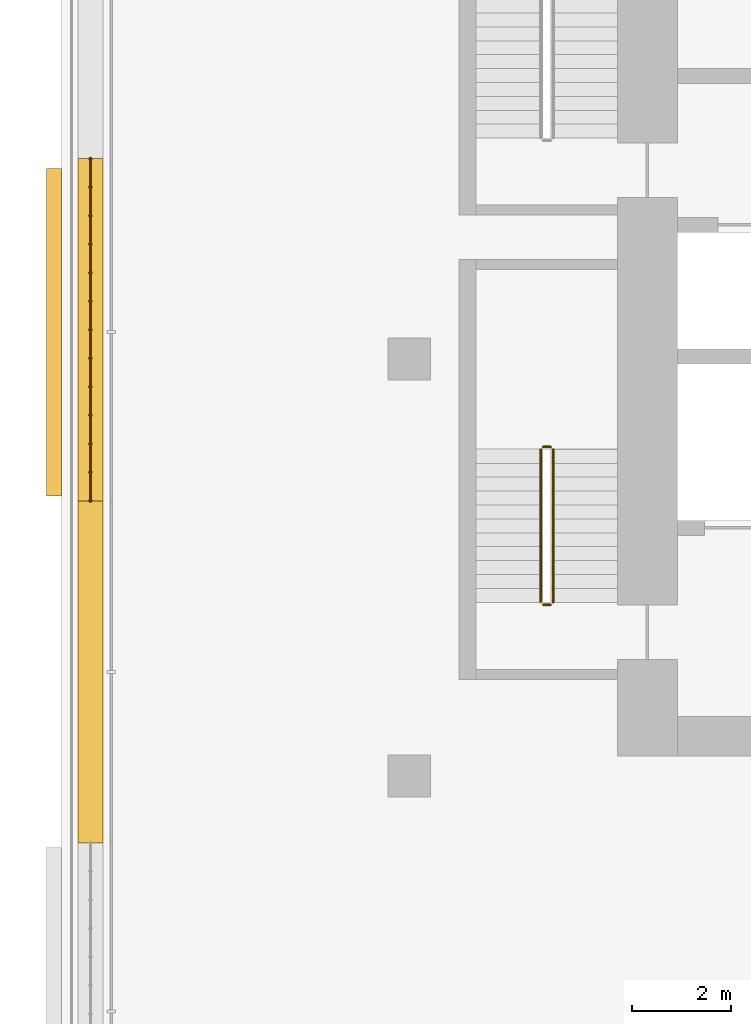
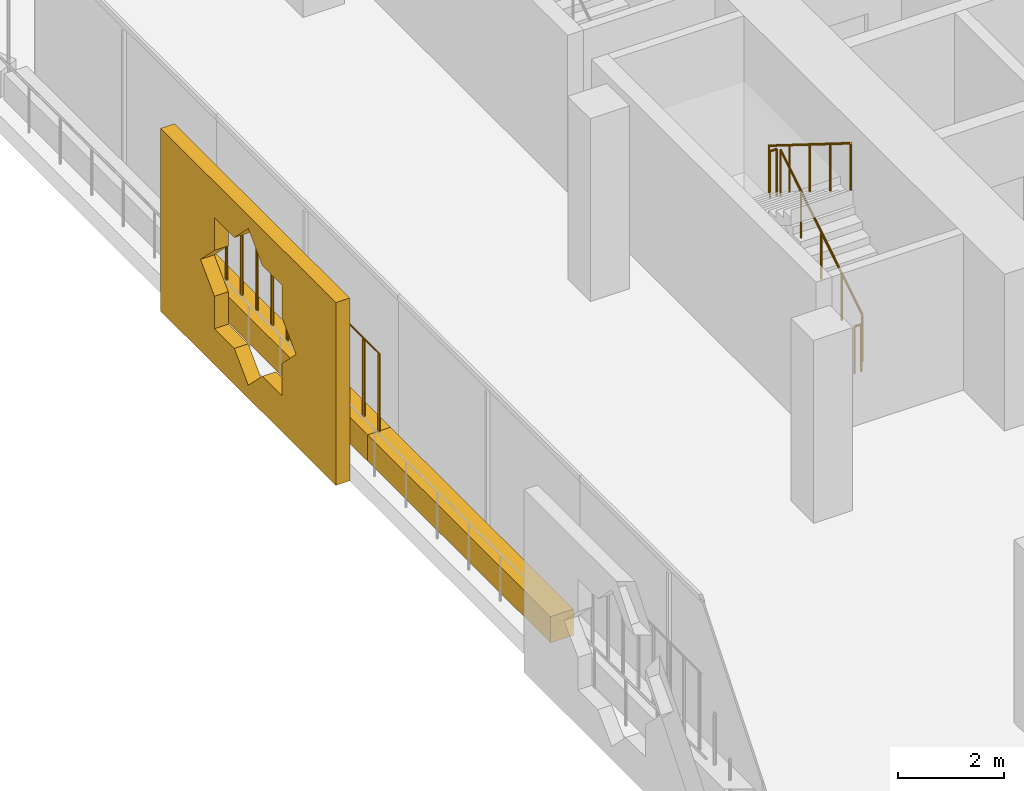
# One storey, part 17 of 23: 5 railings, 3 coverings.
"""IFC4 building model written with IfcOpenShell, lengths in metres."""

from ifc_helpers import new_model, si_unit, direction, frame, origin, origin_2d, place, context, subcontext, project, spatial, polyline, rectangle, circle, outline, extrude, material, material_profile, profile_set, type_object, element, save


model = new_model("IFC4")

# Units and contexts
model_context = context("Model", 3, precision=1e-05, world=origin(), true_north=direction((0.0, 1.0)))
body_context = subcontext(model_context, "Body", "Model", "MODEL_VIEW")
ifc_project = project(units=[si_unit("LENGTHUNIT", "METRE"), si_unit("AREAUNIT", "SQUARE_METRE"), si_unit("VOLUMEUNIT", "CUBIC_METRE"), si_unit("PLANEANGLEUNIT", "RADIAN"), si_unit("MASSUNIT", "GRAM", prefix="KILO")], contexts=[model_context])

# Site, building, storey
site_placement = place(None, origin())
site = spatial("IfcSite", under=ifc_project, at=site_placement, CompositionType="ELEMENT")
building_placement = place(site_placement, origin())
building = spatial("IfcBuilding", under=site, at=building_placement, Name="Kawkab Arch Medical Tower", CompositionType="ELEMENT")
storey_placement = place(building_placement, frame((0.0, 0.0, 247.39990234375)))
storey = spatial("IfcBuildingStorey", under=building, at=storey_placement, Name="L57", CompositionType="ELEMENT", Elevation=247.39990234375)

# Coverings
ifc_material_1 = material(Name="Bronze anodised aluminium mashrabiya panel, eight-point star pattern", Category="aluminium")
ifc_material_profile_1 = material_profile(ifc_material_1, outline(polyline([(-3.300048828125, -2.10009765625), (3.300048828125, -2.10009765625), (3.300048828125, 2.10009765625), (-3.300048828125, 2.10009765625), (-3.300048828125, -2.10009765625)]), holes=[polyline([(1.800048828125, 0.0), (1.272705078125, 0.527099609375), (1.272705078125, 1.272705078125), (0.527099609375, 1.272705078125), (0.0, 1.800048828125), (-0.527099609375, 1.272705078125), (-1.272705078125, 1.272705078125), (-1.272705078125, 0.527099609375), (-1.800048828125, 0.0), (-1.272705078125, -0.527099609375), (-1.272705078125, -1.272705078125), (-0.527099609375, -1.272705078125), (0.0, -1.800048828125), (0.527099609375, -1.272705078125), (1.272705078125, -1.272705078125), (1.272705078125, -0.527099609375), (1.800048828125, 0.0)])]), Name="Mashrabiya panel 6600x4200")
ifc_profile_set_1 = profile_set([ifc_material_profile_1], Name="Bronze anodised aluminium mashrabiya panel, eight-point star pattern")
covering_type_1 = type_object("IfcCoveringType", Name="Mashrabiya panel 6600 x 4200", PredefinedType="USERDEFINED", material=ifc_profile_set_1)
covering_1_placement = place(storey_placement, frame((-7.0, -16.259033203125, 1.7001953125), z_axis=(-1.0, 0.0, 0.0), x_axis=(0.0, -1.0, 0.0)))
element("IfcCovering", 1, at=covering_1_placement, inside=storey, type_object=covering_type_1, Name="Mashrabiya panel L57.LOG-01-01.4", ObjectType="SCREEN", PredefinedType="USERDEFINED", context=body_context, shape_type="SweptSolid", body=[
    extrude(outline(polyline([(-3.300048828125, -2.10009765625), (3.300048828125, -2.10009765625), (3.300048828125, 2.10009765625), (-3.300048828125, 2.10009765625), (-3.300048828125, -2.10009765625)]), holes=[polyline([(1.800048828125, 0.0), (1.272705078125, 0.527099609375), (1.272705078125, 1.272705078125), (0.527099609375, 1.272705078125), (0.0, 1.800048828125), (-0.527099609375, 1.272705078125), (-1.272705078125, 1.272705078125), (-1.272705078125, 0.527099609375), (-1.800048828125, 0.0), (-1.272705078125, -0.527099609375), (-1.272705078125, -1.272705078125), (-0.527099609375, -1.272705078125), (0.0, -1.800048828125), (0.527099609375, -1.272705078125), (1.272705078125, -1.272705078125), (1.272705078125, -0.527099609375), (1.800048828125, 0.0)])]), origin(), (0.0, 0.0, 1.0), 0.300048828125),
])
ifc_material_2 = material(Name="Planting soil in a precast trough", Category="concrete")
ifc_material_profile_2 = material_profile(ifc_material_2, rectangle(XDim=0.5, YDim=0.60009765625, at=origin_2d()), Name="Trough 500x600")
ifc_profile_set_2 = profile_set([ifc_material_profile_2], Name="Planting soil in a precast trough")
covering_type_2 = type_object("IfcCoveringType", Name="Planter trough 500 x 600", PredefinedType="USERDEFINED", material=ifc_profile_set_2)
covering_2_placement = place(storey_placement, frame((-6.419921875, -26.544921875, 0.300048828125), z_axis=(0.0, 1.0, 0.0), x_axis=(-1.0, 0.0, 0.0)))
element("IfcCovering", 2, at=covering_2_placement, inside=storey, type_object=covering_type_2, Name="Planter L57.LOG-01-01.10", ObjectType="PLANTER", PredefinedType="USERDEFINED", context=body_context, shape_type="SweptSolid", body=[
    extrude(rectangle(XDim=0.5, YDim=0.60009765625, at=origin_2d()), origin(), (0.0, 0.0, 1.0), 6.889892578125),
])
covering_3_placement = place(storey_placement, frame((-6.419921875, -19.655029296875, 0.300048828125), z_axis=(0.0, 1.0, 0.0), x_axis=(-1.0, 0.0, 0.0)))
element("IfcCovering", 3, at=covering_3_placement, inside=storey, type_object=covering_type_2, Name="Planter L57.LOG-01-01.11", ObjectType="PLANTER", PredefinedType="USERDEFINED", context=body_context, shape_type="SweptSolid", body=[
    extrude(rectangle(XDim=0.5, YDim=0.60009765625, at=origin_2d()), origin(), (0.0, 0.0, 1.0), 6.89111328125),
])

# Railings
ifc_material_3 = material(Name="Bronze anodised aluminium trellis for climbing plants", Category="aluminium")
railing_type_1 = type_object("IfcRailingType", Name="Planting trellis 2400", PredefinedType="USERDEFINED", material=ifc_material_3)
railing_1_placement = place(storey_placement, frame((-6.419921875, -19.655029296875, 0.0)))
element("IfcRailing", 4, at=railing_1_placement, inside=storey, type_object=railing_type_1, Name="Planting trellis L57.LOG-01-01.11", ObjectType="TRELLIS", PredefinedType="USERDEFINED", context=body_context, shape_type="SweptSolid", body=[
    extrude(circle(Radius=0.01513671875, at=origin_2d()), frame((0.0, 0.0, 2.384765625), z_axis=(0.0, 1.0, 0.0), x_axis=(-1.0, 0.0, 0.0)), (0.0, 0.0, 1.0), 6.89111328125),
    extrude(circle(Radius=0.030029296875, at=origin_2d()), origin(), (0.0, 0.0, 1.0), 2.369873046875),
    extrude(circle(Radius=0.030029296875, at=origin_2d()), frame((0.0, 0.57421875, 0.0)), (0.0, 0.0, 1.0), 2.369873046875),
    extrude(circle(Radius=0.030029296875, at=origin_2d()), frame((0.0, 1.1484375, 0.0)), (0.0, 0.0, 1.0), 2.369873046875),
    extrude(circle(Radius=0.030029296875, at=origin_2d()), frame((0.0, 1.72265625, 0.0)), (0.0, 0.0, 1.0), 2.369873046875),
    extrude(circle(Radius=0.030029296875, at=origin_2d()), frame((0.0, 2.297119140625, 0.0)), (0.0, 0.0, 1.0), 2.369873046875),
    extrude(circle(Radius=0.030029296875, at=origin_2d()), frame((0.0, 2.871337890625, 0.0)), (0.0, 0.0, 1.0), 2.369873046875),
    extrude(circle(Radius=0.030029296875, at=origin_2d()), frame((0.0, 3.445556640625, 0.0)), (0.0, 0.0, 1.0), 2.369873046875),
    extrude(circle(Radius=0.030029296875, at=origin_2d()), frame((0.0, 4.019775390625, 0.0)), (0.0, 0.0, 1.0), 2.369873046875),
    extrude(circle(Radius=0.030029296875, at=origin_2d()), frame((0.0, 4.593994140625, 0.0)), (0.0, 0.0, 1.0), 2.369873046875),
    extrude(circle(Radius=0.030029296875, at=origin_2d()), frame((0.0, 5.16845703125, 0.0)), (0.0, 0.0, 1.0), 2.369873046875),
    extrude(circle(Radius=0.030029296875, at=origin_2d()), frame((0.0, 5.74267578125, 0.0)), (0.0, 0.0, 1.0), 2.369873046875),
    extrude(circle(Radius=0.030029296875, at=origin_2d()), frame((0.0, 6.31689453125, 0.0)), (0.0, 0.0, 1.0), 2.369873046875),
    extrude(circle(Radius=0.030029296875, at=origin_2d()), frame((0.0, 6.89111328125, 0.0)), (0.0, 0.0, 1.0), 2.369873046875),
])
ifc_material_4 = material(Name="Stainless steel", Category="steel")
railing_type_2 = type_object("IfcRailingType", Name="Stair guard 1100", PredefinedType="GUARDRAIL", material=ifc_material_4)
railing_2_placement = place(storey_placement, frame((2.89990234375, -21.699951171875, 0.175048828125)))
element("IfcRailing", 5, at=railing_2_placement, inside=storey, type_object=railing_type_2, Name="L57 ST2 stair guard 1", PredefinedType="GUARDRAIL", context=body_context, shape_type="SweptSolid", body=[
    extrude(circle(Radius=0.02392578125, at=origin_2d()), frame((0.0, 0.0, 1.076171875), z_axis=(0.0, 0.847979421464, 0.530029150871), x_axis=(-1.0, 0.0, 0.0)), (0.0, 0.0, 1.0), 3.632080078125),
    extrude(circle(Radius=0.02099609375, at=origin_2d()), origin(), (0.0, 0.0, 1.0), 1.052001953125),
    extrude(circle(Radius=0.02099609375, at=origin_2d()), frame((0.0, 0.77001953125, 0.481201171875)), (0.0, 0.0, 1.0), 1.052001953125),
    extrude(circle(Radius=0.02099609375, at=origin_2d()), frame((0.0, 1.5400390625, 0.96240234375)), (0.0, 0.0, 1.0), 1.052001953125),
    extrude(circle(Radius=0.02099609375, at=origin_2d()), frame((0.0, 2.309814453125, 1.44384765625)), (0.0, 0.0, 1.0), 1.052001953125),
    extrude(circle(Radius=0.02099609375, at=origin_2d()), frame((0.0, 3.079833984375, 1.925048828125)), (0.0, 0.0, 1.0), 1.052001953125),
])
railing_3_placement = place(storey_placement, frame((2.85009765625, -18.570068359375, 2.10009765625)))
element("IfcRailing", 6, at=railing_3_placement, inside=storey, type_object=railing_type_2, Name="L57 ST2 stair guard 2", PredefinedType="GUARDRAIL", context=body_context, shape_type="SweptSolid", body=[
    extrude(circle(Radius=0.02392578125, at=origin_2d()), frame((0.0, 0.0, 1.076171875), z_axis=(-1.0, 0.0, 0.0), x_axis=(0.0, -1.0, 0.0)), (0.0, 0.0, 1.0), 0.150146484375),
    extrude(circle(Radius=0.02099609375, at=origin_2d()), origin(), (0.0, 0.0, 1.0), 1.052001953125),
    extrude(circle(Radius=0.02099609375, at=origin_2d()), frame((-0.150146484375, 0.0, 0.0)), (0.0, 0.0, 1.0), 1.052001953125),
])
railing_4_placement = place(storey_placement, frame((2.64990234375, -18.6201171875, 2.275146484375)))
element("IfcRailing", 7, at=railing_4_placement, inside=storey, type_object=railing_type_2, Name="L57 ST2 stair guard 3", PredefinedType="GUARDRAIL", context=body_context, shape_type="SweptSolid", body=[
    extrude(circle(Radius=0.02392578125, at=origin_2d()), frame((0.0, 0.0, 1.076171875), z_axis=(0.0, -0.847979421464, 0.530029150871), x_axis=(1.0, 0.0, 0.0)), (0.0, 0.0, 1.0), 3.632080078125),
    extrude(circle(Radius=0.02099609375, at=origin_2d()), origin(), (0.0, 0.0, 1.0), 1.052001953125),
    extrude(circle(Radius=0.02099609375, at=origin_2d()), frame((0.0, -0.77001953125, 0.481201171875)), (0.0, 0.0, 1.0), 1.052001953125),
    extrude(circle(Radius=0.02099609375, at=origin_2d()), frame((0.0, -1.5400390625, 0.96240234375)), (0.0, 0.0, 1.0), 1.052001953125),
    extrude(circle(Radius=0.02099609375, at=origin_2d()), frame((0.0, -2.309814453125, 1.44384765625)), (0.0, 0.0, 1.0), 1.052001953125),
    extrude(circle(Radius=0.02099609375, at=origin_2d()), frame((0.0, -3.079833984375, 1.925048828125)), (0.0, 0.0, 1.0), 1.052001953125),
])
railing_5_placement = place(storey_placement, frame((2.85009765625, -21.75, 0.0)))
element("IfcRailing", 8, at=railing_5_placement, inside=storey, type_object=railing_type_2, Name="L57 ST2 stair guard 4", PredefinedType="GUARDRAIL", context=body_context, shape_type="SweptSolid", body=[
    extrude(circle(Radius=0.02392578125, at=origin_2d()), frame((0.0, 0.0, 1.076171875), z_axis=(-1.0, 0.0, 0.0), x_axis=(0.0, -1.0, 0.0)), (0.0, 0.0, 1.0), 0.150146484375),
    extrude(circle(Radius=0.02099609375, at=origin_2d()), origin(), (0.0, 0.0, 1.0), 1.052001953125),
    extrude(circle(Radius=0.02099609375, at=origin_2d()), frame((-0.150146484375, 0.0, 0.0)), (0.0, 0.0, 1.0), 1.052001953125),
])

save(model, "model.ifc")
